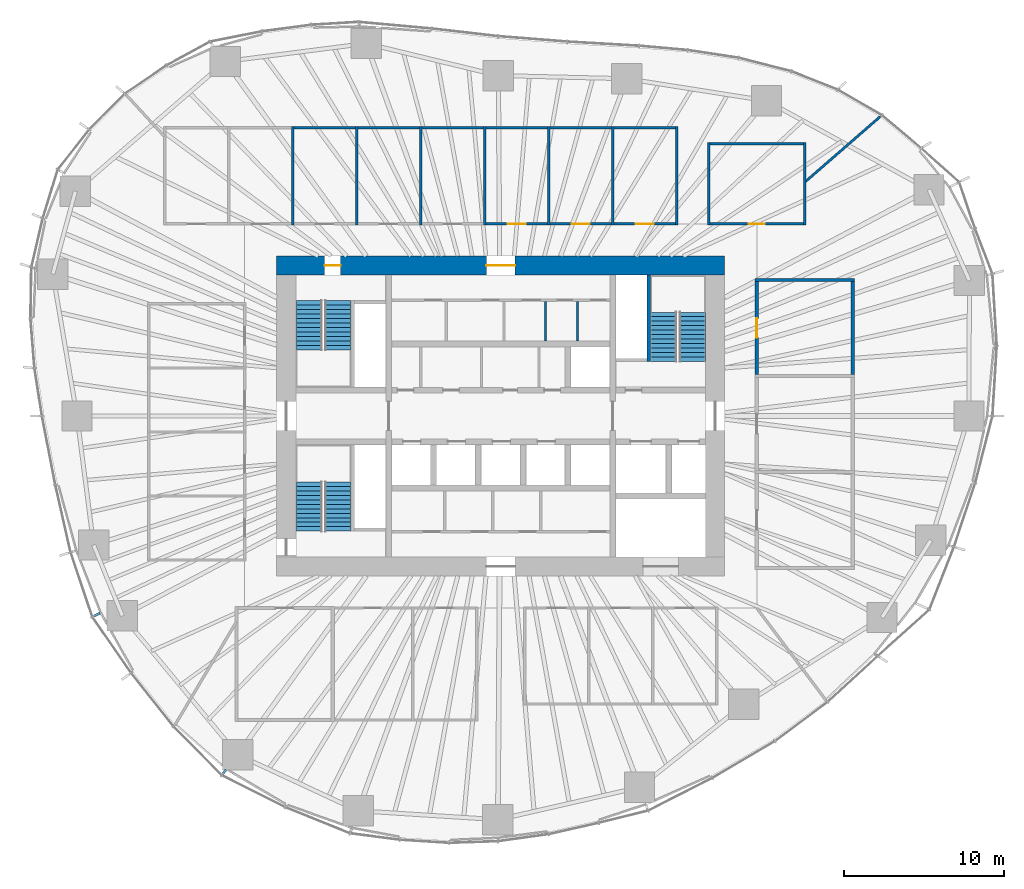
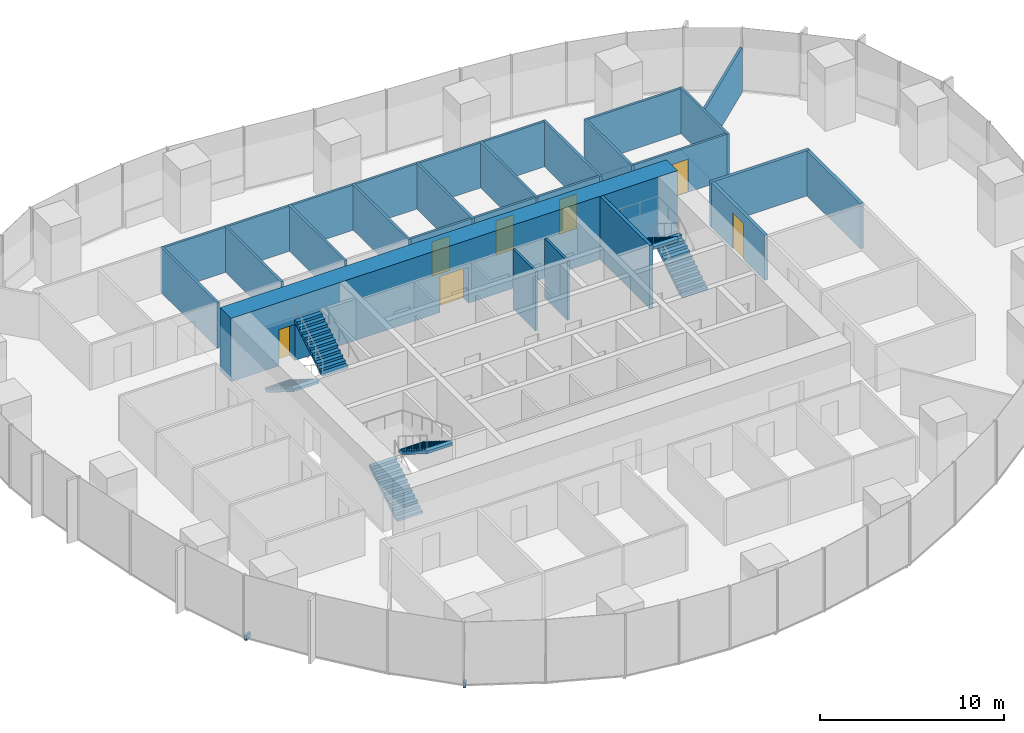
# One storey, part 11 of 20: 28 walls, 7 doors, 6 stair flights, 2 discrete accessories, 7 openings, 3 elements without a shape of their own.
"""IFC4 building model written with IfcOpenShell, lengths in metres."""

from ifc_helpers import new_model, si_unit, direction, frame, frame_2d, origin, origin_2d, place, context, subcontext, project, spatial, polyline, rectangle, outline, extrude, material, layer, layer_set, type_object, element, fill, aggregate, save


model = new_model("IFC4")

# Units and contexts
model_context = context("Model", 3, precision=1e-05, world=origin(), true_north=direction((0.0, 1.0)))
body_context = subcontext(model_context, "Body", "Model", "MODEL_VIEW")
ifc_project = project(units=[si_unit("LENGTHUNIT", "METRE"), si_unit("AREAUNIT", "SQUARE_METRE"), si_unit("VOLUMEUNIT", "CUBIC_METRE"), si_unit("PLANEANGLEUNIT", "RADIAN"), si_unit("MASSUNIT", "GRAM", prefix="KILO")], contexts=[model_context])

# Site, building, storey
site_placement = place(None, origin())
site = spatial("IfcSite", under=ifc_project, at=site_placement, CompositionType="ELEMENT")
building_placement = place(site_placement, origin())
building = spatial("IfcBuilding", under=site, at=building_placement, Name="Ghaith Harvest Tower", CompositionType="ELEMENT")
storey_placement = place(building_placement, frame((0.0, 0.0, 109.199951171875)))
storey = spatial("IfcBuildingStorey", under=building, at=storey_placement, Name="L22", CompositionType="ELEMENT", Elevation=109.199951171875)

# Wall
ifc_material_1 = material(Name="Twin-stud gypsum board, acoustic", Category="gypsum")
ifc_layer_1 = layer(ifc_material_1, 0.199951171875)
ifc_layer_set_1 = layer_set([ifc_layer_1], Name="ACOUSTIC PARTITION 200")
wall_type_1 = type_object("IfcWallType", Name="ACOUSTIC PARTITION 200", PredefinedType="PARTITIONING", material=ifc_layer_set_1)
wall_1_placement = place(storey_placement, frame((15.89990234375, 8.5, 0.0), z_axis=(0.0, 0.0, 1.0), x_axis=(1.0, 0.0, 0.0)))
element("IfcWall", 1, at=wall_1_placement, inside=storey, type_object=wall_type_1, Name="Partition L22 row E3 cross wall 4", PredefinedType="PARTITIONING", context=body_context, shape_type="SweptSolid", body=[
    extrude(rectangle(XDim=6.2001953125, YDim=0.199951171875, at=frame_2d((3.10009765625, 0.0))), origin(), (0.0, 0.0, 1.0), 3.0),
])

# Wall, opening, door
wall_2_placement = place(storey_placement, frame((16.0, 2.60009765625, 0.0), z_axis=(0.0, 0.0, 1.0), x_axis=(0.0, 1.0, 0.0)))
wall_2 = element("IfcWall", 2, at=wall_2_placement, inside=storey, type_object=wall_type_1, Name="Partition L22-12", PredefinedType="PARTITIONING", context=body_context, shape_type="SweptSolid", body=[
    extrude(rectangle(XDim=5.7998046875, YDim=0.199951171875, at=frame_2d((2.89990234375, 0.0))), origin(), (0.0, 0.0, 1.0), 3.0),
])
opening_1_placement = place(wall_2_placement, frame((2.300048828125, 0.0, 0.0)))
opening_1 = element("IfcOpeningElement", 3, at=opening_1_placement, cuts=wall_2, Name="Opening 22-041", PredefinedType="OPENING", context=body_context, shape_type="SweptSolid", body=[
    extrude(rectangle(XDim=1.199951171875, YDim=2.39990234375, at=frame_2d((0.60009765625, 1.199951171875))), frame((0.0, 0.10986328125, 0.0), z_axis=(0.0, -1.0, 0.0), x_axis=(1.0, 0.0, 0.0)), (0.0, 0.0, 1.0), 0.219970703125),
])
ifc_material_2 = material(Name="Timber door", Category="wood")
door_type_1 = type_object("IfcDoorType", Name="D11 GLAZED 1200x2400", OperationType="SINGLE_SWING_LEFT", PredefinedType="DOOR", material=ifc_material_2)
door_1_placement = place(opening_1_placement, origin())
door_1 = element("IfcDoor", 4, at=door_1_placement, inside=storey, type_object=door_type_1, Name="Meeting room door", OperationType="SINGLE_SWING_LEFT", OverallHeight=2.39990234375, OverallWidth=1.199951171875, PredefinedType="DOOR", context=body_context, shape_type="SweptSolid", body=[
    extrude(rectangle(XDim=1.199951171875, YDim=2.39990234375, at=frame_2d((0.60009765625, 1.199951171875))), frame((0.0, 0.02490234375, 0.0), z_axis=(0.0, -1.0, 0.0), x_axis=(1.0, 0.0, 0.0)), (0.0, 0.0, 1.0), 0.050048828125),
])
fill(opening_1, door_1)

# Walls
wall_3_placement = place(storey_placement, frame((22.0, 2.60009765625, 0.0), z_axis=(0.0, 0.0, 1.0), x_axis=(0.0, 1.0, 0.0)))
element("IfcWall", 5, at=wall_3_placement, inside=storey, type_object=wall_type_1, Name="Partition L22-12", PredefinedType="PARTITIONING", context=body_context, shape_type="SweptSolid", body=[
    extrude(rectangle(XDim=5.7998046875, YDim=0.199951171875, at=frame_2d((2.89990234375, 0.0))), origin(), (0.0, 0.0, 1.0), 3.0),
])
ifc_material_3 = material(Name="Concrete blockwork, fair-faced", Category="masonry")
ifc_layer_2 = layer(ifc_material_3, 0.139892578125)
ifc_layer_set_2 = layer_set([ifc_layer_2], Name="CORE PARTITION 140")
wall_type_2 = type_object("IfcWallType", Name="CORE PARTITION 140", PredefinedType="PARTITIONING", material=ifc_layer_set_2)
for number, where, z_axis, x_axis, name in (
    (6, (2.800048828125, 4.699951171875, 0.0), (0.0, 0.0, 1.0), (0.0, 1.0, 0.0), "Core partition L22"),
    (7, (4.800048828125, 4.699951171875, 0.0), (0.0, 0.0, 1.0), (0.0, 1.0, 0.0), "Core partition L22"),
):
    element("IfcWall", number, at=place(storey_placement, frame(where, z_axis=z_axis, x_axis=x_axis)), inside=storey, type_object=wall_type_2, Name=name, PredefinedType="PARTITIONING", context=body_context, shape_type="SweptSolid", body=[
        extrude(rectangle(XDim=2.4599609375, YDim=0.139892578125, at=frame_2d((1.22998046875, 0.0))), origin(), (0.0, 0.0, 1.0), 3.949951171875),
    ])

# Wall, openings, doors
ifc_material_4 = material(Name="Concrete C60/75", Category="concrete")
ifc_layer_3 = layer(ifc_material_4, 1.199951171875)
ifc_layer_set_3 = layer_set([ifc_layer_3], Name="CORE WALL CW1200 C60")
wall_type_3 = type_object("IfcWallType", Name="CORE WALL CW1200 C60", PredefinedType="SHEAR", material=ifc_layer_set_3)
wall_4_placement = place(storey_placement, frame((14.0, 9.39990234375, 0.0), z_axis=(0.0, 0.0, 1.0), x_axis=(-1.0, 0.0, 0.0)))
wall_4 = element("IfcWall", 8, at=wall_4_placement, inside=storey, type_object=wall_type_3, Name="Core wall N L22", PredefinedType="SHEAR", context=body_context, shape_type="SweptSolid", body=[
    extrude(rectangle(XDim=28.0, YDim=1.199951171875, at=frame_2d((14.0, 0.0))), origin(), (0.0, 0.0, 1.0), 4.199951171875),
])
opening_2_placement = place(wall_4_placement, frame((24.0, 0.0, 0.0)))
opening_2 = element("IfcOpeningElement", 9, at=opening_2_placement, cuts=wall_4, Name="Opening 22-005", PredefinedType="OPENING", context=body_context, shape_type="SweptSolid", body=[
    extrude(rectangle(XDim=1.0, YDim=2.39990234375, at=frame_2d((0.5, 1.199951171875))), frame((0.0, 0.60986328125, 0.0), z_axis=(0.0, -1.0, 0.0), x_axis=(1.0, 0.0, 0.0)), (0.0, 0.0, 1.0), 1.219970703125),
])
opening_3_placement = place(wall_4_placement, frame((13.10009765625, 0.0, 0.0)))
opening_3 = element("IfcOpeningElement", 10, at=opening_3_placement, cuts=wall_4, Name="Opening 22-021", PredefinedType="OPENING", context=body_context, shape_type="SweptSolid", body=[
    extrude(rectangle(XDim=1.800048828125, YDim=2.39990234375, at=frame_2d((0.89990234375, 1.199951171875))), frame((0.0, 0.60986328125, 0.0), z_axis=(0.0, -1.0, 0.0), x_axis=(1.0, 0.0, 0.0)), (0.0, 0.0, 1.0), 1.219970703125),
])
ifc_material_5 = material(Name="Steel fire door", Category="steel")
door_type_2 = type_object("IfcDoorType", Name="D3 FD90 1000x2400", OperationType="SINGLE_SWING_LEFT", PredefinedType="DOOR", material=ifc_material_5)
door_2_placement = place(opening_2_placement, origin())
door_2 = element("IfcDoor", 11, at=door_2_placement, inside=storey, type_object=door_type_2, Name="Stair ST1 door", OperationType="SINGLE_SWING_RIGHT", OverallHeight=2.39990234375, OverallWidth=1.0, PredefinedType="DOOR", context=body_context, shape_type="SweptSolid", body=[
    extrude(rectangle(XDim=1.0, YDim=2.39990234375, at=frame_2d((0.5, 1.199951171875))), frame((0.0, 0.02490234375, 0.0), z_axis=(0.0, -1.0, 0.0), x_axis=(1.0, 0.0, 0.0)), (0.0, 0.0, 1.0), 0.050048828125),
])
fill(opening_2, door_2)
ifc_material_6 = material(Name="Steel fire door", Category="steel")
door_type_3 = type_object("IfcDoorType", Name="D4 FD90 PAIR 1800x2400", OperationType="DOUBLE_DOOR_SINGLE_SWING", PredefinedType="DOOR", material=ifc_material_6)
door_3_placement = place(opening_3_placement, origin())
door_3 = element("IfcDoor", 12, at=door_3_placement, inside=storey, type_object=door_type_3, Name="Core service corridor doors", OperationType="DOUBLE_DOOR_SINGLE_SWING", OverallHeight=2.39990234375, OverallWidth=1.800048828125, PredefinedType="DOOR", context=body_context, shape_type="SweptSolid", body=[
    extrude(rectangle(XDim=1.800048828125, YDim=2.39990234375, at=frame_2d((0.89990234375, 1.199951171875))), frame((0.0, 0.02490234375, 0.0), z_axis=(0.0, -1.0, 0.0), x_axis=(1.0, 0.0, 0.0)), (0.0, 0.0, 1.0), 0.050048828125),
])
fill(opening_3, door_3)

# Walls
ifc_material_7 = material(Name="Gypsum board on steel studs", Category="steel")
ifc_layer_4 = layer(ifc_material_7, 0.14990234375)
ifc_layer_set_4 = layer_set([ifc_layer_4], Name="PARTITION 150")
wall_type_4 = type_object("IfcWallType", Name="PARTITION 150", PredefinedType="PARTITIONING", material=ifc_layer_set_4)
for number, where, z_axis, x_axis, name in (
    (13, (-13.0, 11.925048828125, 0.0), (0.0, 0.0, 1.0), (0.0, 1.0, 0.0), "Partition L22 row N1 cross wall 3"),
    (14, (-9.0, 11.925048828125, 0.0), (0.0, 0.0, 1.0), (0.0, 1.0, 0.0), "Partition L22 row N1 cross wall 4"),
    (15, (-5.0, 11.925048828125, 0.0), (0.0, 0.0, 1.0), (0.0, 1.0, 0.0), "Partition L22 row N1 cross wall 5"),
    (16, (-1.0, 11.925048828125, 0.0), (0.0, 0.0, 1.0), (0.0, 1.0, 0.0), "Partition L22 row N1 cross wall 6"),
    (17, (3.0, 11.925048828125, 0.0), (0.0, 0.0, 1.0), (0.0, 1.0, 0.0), "Partition L22 row N1 cross wall 7"),
    (18, (7.0, 11.925048828125, 0.0), (0.0, 0.0, 1.0), (0.0, 1.0, 0.0), "Partition L22 row N1 cross wall 8"),
    (19, (11.0, 11.925048828125, 0.0), (0.0, 0.0, 1.0), (0.0, 1.0, 0.0), "Partition L22 row N1 cross wall 9"),
):
    element("IfcWall", number, at=place(storey_placement, frame(where, z_axis=z_axis, x_axis=x_axis)), inside=storey, type_object=wall_type_4, Name=name, PredefinedType="PARTITIONING", context=body_context, shape_type="SweptSolid", body=[
        extrude(rectangle(XDim=6.14990234375, YDim=0.14990234375, at=frame_2d((3.074951171875, 0.0))), origin(), (0.0, 0.0, 1.0), 3.0),
    ])
for number, where, z_axis, x_axis, name in (
    (20, (-12.925048828125, 18.0, 0.0), (0.0, 0.0, 1.0), (1.0, 0.0, 0.0), "Partition L22-03"),
    (21, (-8.925048828125, 18.0, 0.0), (0.0, 0.0, 1.0), (1.0, 0.0, 0.0), "Partition L22-04"),
    (22, (-4.925048828125, 18.0, 0.0), (0.0, 0.0, 1.0), (1.0, 0.0, 0.0), "Partition L22-05"),
):
    element("IfcWall", number, at=place(storey_placement, frame(where, z_axis=z_axis, x_axis=x_axis)), inside=storey, type_object=wall_type_4, Name=name, PredefinedType="PARTITIONING", context=body_context, shape_type="SweptSolid", body=[
        extrude(rectangle(XDim=3.85009765625, YDim=0.14990234375, at=frame_2d((1.925048828125, 0.0))), origin(), (0.0, 0.0, 1.0), 3.0),
    ])

# Wall, opening, door
wall_5_placement = place(storey_placement, frame((-0.925048828125, 12.0, 0.0), z_axis=(0.0, 0.0, 1.0), x_axis=(1.0, 0.0, 0.0)))
wall_5 = element("IfcWall", 23, at=wall_5_placement, inside=storey, type_object=wall_type_4, Name="Partition L22-06", PredefinedType="PARTITIONING", context=body_context, shape_type="SweptSolid", body=[
    extrude(rectangle(XDim=3.85009765625, YDim=0.14990234375, at=frame_2d((1.925048828125, 0.0))), origin(), (0.0, 0.0, 1.0), 3.0),
])
opening_4_placement = place(wall_5_placement, frame((1.375, 0.0, 0.0)))
opening_4 = element("IfcOpeningElement", 24, at=opening_4_placement, cuts=wall_5, Name="Opening 22-035", PredefinedType="OPENING", context=body_context, shape_type="SweptSolid", body=[
    extrude(rectangle(XDim=1.10009765625, YDim=2.300048828125, at=frame_2d((0.550048828125, 1.14990234375))), frame((0.0, 0.0849609375, 0.0), z_axis=(0.0, -1.0, 0.0), x_axis=(1.0, 0.0, 0.0)), (0.0, 0.0, 1.0), 0.169921875),
])
ifc_material_8 = material(Name="Timber-framed glazed door", Category="wood")
door_type_4 = type_object("IfcDoorType", Name="D12 GLAZED OFFICE 1100x2300", OperationType="SINGLE_SWING_LEFT", PredefinedType="DOOR", material=ifc_material_8)
door_4_placement = place(opening_4_placement, origin())
door_4 = element("IfcDoor", 25, at=door_4_placement, inside=storey, type_object=door_type_4, Name="Office door", OperationType="SINGLE_SWING_LEFT", OverallHeight=2.300048828125, OverallWidth=1.10009765625, PredefinedType="DOOR", context=body_context, shape_type="SweptSolid", body=[
    extrude(rectangle(XDim=1.10009765625, YDim=2.300048828125, at=frame_2d((0.550048828125, 1.14990234375))), frame((0.0, 0.02490234375, 0.0), z_axis=(0.0, -1.0, 0.0), x_axis=(1.0, 0.0, 0.0)), (0.0, 0.0, 1.0), 0.050048828125),
])
fill(opening_4, door_4)

# Wall
wall_6_placement = place(storey_placement, frame((-0.925048828125, 18.0, 0.0), z_axis=(0.0, 0.0, 1.0), x_axis=(1.0, 0.0, 0.0)))
element("IfcWall", 26, at=wall_6_placement, inside=storey, type_object=wall_type_4, Name="Partition L22-06", PredefinedType="PARTITIONING", context=body_context, shape_type="SweptSolid", body=[
    extrude(rectangle(XDim=3.85009765625, YDim=0.14990234375, at=frame_2d((1.925048828125, 0.0))), origin(), (0.0, 0.0, 1.0), 3.0),
])

# Wall, opening, door
wall_7_placement = place(storey_placement, frame((3.074951171875, 12.0, 0.0), z_axis=(0.0, 0.0, 1.0), x_axis=(1.0, 0.0, 0.0)))
wall_7 = element("IfcWall", 27, at=wall_7_placement, inside=storey, type_object=wall_type_4, Name="Partition L22-07", PredefinedType="PARTITIONING", context=body_context, shape_type="SweptSolid", body=[
    extrude(rectangle(XDim=3.85009765625, YDim=0.14990234375, at=frame_2d((1.925048828125, 0.0))), origin(), (0.0, 0.0, 1.0), 3.0),
])
opening_5_placement = place(wall_7_placement, frame((1.375, 0.0, 0.0)))
opening_5 = element("IfcOpeningElement", 28, at=opening_5_placement, cuts=wall_7, Name="Opening 22-036", PredefinedType="OPENING", context=body_context, shape_type="SweptSolid", body=[
    extrude(rectangle(XDim=1.10009765625, YDim=2.300048828125, at=frame_2d((0.550048828125, 1.14990234375))), frame((0.0, 0.0849609375, 0.0), z_axis=(0.0, -1.0, 0.0), x_axis=(1.0, 0.0, 0.0)), (0.0, 0.0, 1.0), 0.169921875),
])
door_5_placement = place(opening_5_placement, origin())
door_5 = element("IfcDoor", 29, at=door_5_placement, inside=storey, type_object=door_type_4, Name="Office door", OperationType="SINGLE_SWING_LEFT", OverallHeight=2.300048828125, OverallWidth=1.10009765625, PredefinedType="DOOR", context=body_context, shape_type="SweptSolid", body=[
    extrude(rectangle(XDim=1.10009765625, YDim=2.300048828125, at=frame_2d((0.550048828125, 1.14990234375))), frame((0.0, 0.02490234375, 0.0), z_axis=(0.0, -1.0, 0.0), x_axis=(1.0, 0.0, 0.0)), (0.0, 0.0, 1.0), 0.050048828125),
])
fill(opening_5, door_5)

# Wall
wall_8_placement = place(storey_placement, frame((3.074951171875, 18.0, 0.0), z_axis=(0.0, 0.0, 1.0), x_axis=(1.0, 0.0, 0.0)))
element("IfcWall", 30, at=wall_8_placement, inside=storey, type_object=wall_type_4, Name="Partition L22-07", PredefinedType="PARTITIONING", context=body_context, shape_type="SweptSolid", body=[
    extrude(rectangle(XDim=3.85009765625, YDim=0.14990234375, at=frame_2d((1.925048828125, 0.0))), origin(), (0.0, 0.0, 1.0), 3.0),
])

# Wall, opening, door
wall_9_placement = place(storey_placement, frame((7.074951171875, 12.0, 0.0), z_axis=(0.0, 0.0, 1.0), x_axis=(1.0, 0.0, 0.0)))
wall_9 = element("IfcWall", 31, at=wall_9_placement, inside=storey, type_object=wall_type_4, Name="Partition L22-08", PredefinedType="PARTITIONING", context=body_context, shape_type="SweptSolid", body=[
    extrude(rectangle(XDim=3.85009765625, YDim=0.14990234375, at=frame_2d((1.925048828125, 0.0))), origin(), (0.0, 0.0, 1.0), 3.0),
])
opening_6_placement = place(wall_9_placement, frame((1.375, 0.0, 0.0)))
opening_6 = element("IfcOpeningElement", 32, at=opening_6_placement, cuts=wall_9, Name="Opening 22-037", PredefinedType="OPENING", context=body_context, shape_type="SweptSolid", body=[
    extrude(rectangle(XDim=1.10009765625, YDim=2.300048828125, at=frame_2d((0.550048828125, 1.14990234375))), frame((0.0, 0.0849609375, 0.0), z_axis=(0.0, -1.0, 0.0), x_axis=(1.0, 0.0, 0.0)), (0.0, 0.0, 1.0), 0.169921875),
])
door_6_placement = place(opening_6_placement, origin())
door_6 = element("IfcDoor", 33, at=door_6_placement, inside=storey, type_object=door_type_4, Name="Office door", OperationType="SINGLE_SWING_LEFT", OverallHeight=2.300048828125, OverallWidth=1.10009765625, PredefinedType="DOOR", context=body_context, shape_type="SweptSolid", body=[
    extrude(rectangle(XDim=1.10009765625, YDim=2.300048828125, at=frame_2d((0.550048828125, 1.14990234375))), frame((0.0, 0.02490234375, 0.0), z_axis=(0.0, -1.0, 0.0), x_axis=(1.0, 0.0, 0.0)), (0.0, 0.0, 1.0), 0.050048828125),
])
fill(opening_6, door_6)

# Walls
wall_10_placement = place(storey_placement, frame((7.074951171875, 18.0, 0.0), z_axis=(0.0, 0.0, 1.0), x_axis=(1.0, 0.0, 0.0)))
element("IfcWall", 34, at=wall_10_placement, inside=storey, type_object=wall_type_4, Name="Partition L22-08", PredefinedType="PARTITIONING", context=body_context, shape_type="SweptSolid", body=[
    extrude(rectangle(XDim=3.85009765625, YDim=0.14990234375, at=frame_2d((1.925048828125, 0.0))), origin(), (0.0, 0.0, 1.0), 3.0),
])
for number, where, z_axis, x_axis, name in (
    (35, (13.0, 11.925048828125, 0.0), (0.0, 0.0, 1.0), (0.0, 1.0, 0.0), "Partition L22 row N2 cross wall 1"),
    (36, (19.0, 11.925048828125, 0.0), (0.0, 0.0, 1.0), (0.0, 1.0, 0.0), "Partition L22 row N2 cross wall 2"),
):
    element("IfcWall", number, at=place(storey_placement, frame(where, z_axis=z_axis, x_axis=x_axis)), inside=storey, type_object=wall_type_4, Name=name, PredefinedType="PARTITIONING", context=body_context, shape_type="SweptSolid", body=[
        extrude(rectangle(XDim=5.14990234375, YDim=0.14990234375, at=frame_2d((2.574951171875, 0.0))), origin(), (0.0, 0.0, 1.0), 3.0),
    ])

# Wall, opening, door
wall_11_placement = place(storey_placement, frame((13.074951171875, 12.0, 0.0), z_axis=(0.0, 0.0, 1.0), x_axis=(1.0, 0.0, 0.0)))
wall_11 = element("IfcWall", 37, at=wall_11_placement, inside=storey, type_object=wall_type_4, Name="Partition L22-09", PredefinedType="PARTITIONING", context=body_context, shape_type="SweptSolid", body=[
    extrude(rectangle(XDim=5.85009765625, YDim=0.14990234375, at=frame_2d((2.925048828125, 0.0))), origin(), (0.0, 0.0, 1.0), 3.0),
])
opening_7_placement = place(wall_11_placement, frame((2.425048828125, 0.0, 0.0)))
opening_7 = element("IfcOpeningElement", 38, at=opening_7_placement, cuts=wall_11, Name="Opening 22-038", PredefinedType="OPENING", context=body_context, shape_type="SweptSolid", body=[
    extrude(rectangle(XDim=1.0, YDim=2.199951171875, at=frame_2d((0.5, 1.10009765625))), frame((0.0, 0.0849609375, 0.0), z_axis=(0.0, -1.0, 0.0), x_axis=(1.0, 0.0, 0.0)), (0.0, 0.0, 1.0), 0.169921875),
])
ifc_material_9 = material(Name="Timber door", Category="wood")
door_type_5 = type_object("IfcDoorType", Name="D1 SINGLE 1000x2200", OperationType="SINGLE_SWING_LEFT", PredefinedType="DOOR", material=ifc_material_9)
door_7_placement = place(opening_7_placement, origin())
door_7 = element("IfcDoor", 39, at=door_7_placement, inside=storey, type_object=door_type_5, Name="Pantry door", OperationType="SINGLE_SWING_LEFT", OverallHeight=2.199951171875, OverallWidth=1.0, PredefinedType="DOOR", context=body_context, shape_type="SweptSolid", body=[
    extrude(rectangle(XDim=1.0, YDim=2.199951171875, at=frame_2d((0.5, 1.10009765625))), frame((0.0, 0.02490234375, 0.0), z_axis=(0.0, -1.0, 0.0), x_axis=(1.0, 0.0, 0.0)), (0.0, 0.0, 1.0), 0.050048828125),
])
fill(opening_7, door_7)

# Walls
wall_12_placement = place(storey_placement, frame((13.074951171875, 17.0, 0.0), z_axis=(0.0, 0.0, 1.0), x_axis=(1.0, 0.0, 0.0)))
element("IfcWall", 40, at=wall_12_placement, inside=storey, type_object=wall_type_4, Name="Partition L22-09", PredefinedType="PARTITIONING", context=body_context, shape_type="SweptSolid", body=[
    extrude(rectangle(XDim=5.85009765625, YDim=0.14990234375, at=frame_2d((2.925048828125, 0.0))), origin(), (0.0, 0.0, 1.0), 3.0),
])
wall_13_placement = place(storey_placement, frame((19.02001953125, 14.62548828125, 0.0), z_axis=(0.0, 0.0, 1.0), x_axis=(0.754691753605, 0.656079535605, 0.0)))
element("IfcWall", 41, at=wall_13_placement, inside=storey, type_object=wall_type_4, Name="Partition L22 zone division", PredefinedType="PARTITIONING", context=body_context, shape_type="SweptSolid", body=[
    extrude(rectangle(XDim=6.216552734375, YDim=0.14990234375, at=frame_2d((3.1083984375, 0.0))), origin(), (0.0, 0.0, 1.0), 3.0),
])
ifc_material_10 = material(Name="Concrete C40/50", Category="concrete")
ifc_layer_5 = layer(ifc_material_10, 0.199951171875)
ifc_layer_set_5 = layer_set([ifc_layer_5], Name="STAIR SPINE WALL RC200")
wall_type_5 = type_object("IfcWallType", Name="STAIR SPINE WALL RC200", PredefinedType="SOLIDWALL", material=ifc_layer_set_5)
wall_14_placement = place(storey_placement, frame((9.25, 3.39990234375, 0.0), z_axis=(0.0, 0.0, 1.0), x_axis=(0.0, 1.0, 0.0)))
element("IfcWall", 42, at=wall_14_placement, inside=storey, type_object=wall_type_5, Name="Stair ST2 spine wall L22", PredefinedType="SOLIDWALL", context=body_context, shape_type="SweptSolid", body=[
    extrude(rectangle(XDim=5.400146484375, YDim=0.199951171875, at=frame_2d((2.7001953125, 0.0))), origin(), (0.0, 0.0, 1.0), 4.199951171875),
])

# Stair, stair flights
ifc_material_11 = material(Name="Concrete C40/50, precast", Category="concrete")
stair_type = type_object("IfcStairType", Name="CORE STAIR 24R", PredefinedType="HALF_TURN_STAIR", material=ifc_material_11)
stair_1_placement = place(storey_placement, origin())
stair_1 = element("IfcStair", 43, at=stair_1_placement, inside=storey, type_object=stair_type, Name="Stair ST1 L22", PredefinedType="HALF_TURN_STAIR")
ifc_material_12 = material(Name="Concrete C40/50, precast", Category="concrete")
stair_flight_type = type_object("IfcStairFlightType", Name="CORE FLIGHT 12R 1600", PredefinedType="STRAIGHT", material=ifc_material_12)
stair_flight_1_placement = place(storey_placement, frame((-12.0, 7.199951171875, 0.0), z_axis=(0.0, 0.0, 1.0), x_axis=(0.0, -1.0, 0.0)))
stair_flight_1 = element("IfcStairFlight", 44, at=stair_flight_1_placement, type_object=stair_flight_type, Name="ST1 flight 1", NumberOfRisers=12, NumberOfTreads=11, PredefinedType="STRAIGHT", RiserHeight=0.175, TreadLength=0.28, context=body_context, shape_type="SweptSolid", body=[
    extrude(outline(polyline([(0.0, 0.0), (0.0, 0.175048828125), (0.280029296875, 0.175048828125), (0.280029296875, 0.35009765625), (0.56005859375, 0.35009765625), (0.56005859375, 0.52490234375), (0.840087890625, 0.52490234375), (0.840087890625, 0.699951171875), (1.1201171875, 0.699951171875), (1.1201171875, 0.875), (1.39990234375, 0.875), (1.39990234375, 1.050048828125), (1.679931640625, 1.050048828125), (1.679931640625, 1.22509765625), (1.9599609375, 1.22509765625), (1.9599609375, 1.39990234375), (2.239990234375, 1.39990234375), (2.239990234375, 1.574951171875), (2.52001953125, 1.574951171875), (2.52001953125, 1.75), (2.800048828125, 1.75), (2.800048828125, 1.925048828125), (3.080078125, 1.925048828125), (3.080078125, 2.10009765625), (3.080078125, 1.748291015625), (0.28271484375, 0.0), (0.0, 0.0)])), frame((0.0, 0.800048828125, 0.0), z_axis=(0.0, -1.0, 0.0), x_axis=(1.0, 0.0, 0.0)), (0.0, 0.0, 1.0), 1.60009765625),
])
stair_flight_2_placement = place(storey_placement, frame((-10.14990234375, 4.1201171875, 2.10009765625), z_axis=(0.0, 0.0, 1.0), x_axis=(0.0, 1.0, 0.0)))
stair_flight_2 = element("IfcStairFlight", 45, at=stair_flight_2_placement, type_object=stair_flight_type, Name="ST1 flight 2", NumberOfRisers=12, NumberOfTreads=11, PredefinedType="STRAIGHT", RiserHeight=0.175, TreadLength=0.28, context=body_context, shape_type="SweptSolid", body=[
    extrude(outline(polyline([(0.0, 0.0), (0.0, 0.175048828125), (0.280029296875, 0.175048828125), (0.280029296875, 0.35009765625), (0.56005859375, 0.35009765625), (0.56005859375, 0.52490234375), (0.840087890625, 0.52490234375), (0.840087890625, 0.699951171875), (1.1201171875, 0.699951171875), (1.1201171875, 0.875), (1.39990234375, 0.875), (1.39990234375, 1.050048828125), (1.679931640625, 1.050048828125), (1.679931640625, 1.22509765625), (1.9599609375, 1.22509765625), (1.9599609375, 1.39990234375), (2.239990234375, 1.39990234375), (2.239990234375, 1.574951171875), (2.52001953125, 1.574951171875), (2.52001953125, 1.75), (2.800048828125, 1.75), (2.800048828125, 1.925048828125), (3.080078125, 1.925048828125), (3.080078125, 2.10009765625), (3.080078125, 1.748291015625), (0.28271484375, 0.0), (0.0, 0.0)])), frame((0.0, 0.800048828125, 0.0), z_axis=(0.0, -1.0, 0.0), x_axis=(1.0, 0.0, 0.0)), (0.0, 0.0, 1.0), 1.60009765625),
])
aggregate(stair_1, [stair_flight_1, stair_flight_2])

stair_2_placement = place(storey_placement, origin())
stair_2 = element("IfcStair", 46, at=stair_2_placement, inside=storey, type_object=stair_type, Name="Stair ST3 L22", PredefinedType="HALF_TURN_STAIR")
stair_flight_3_placement = place(storey_placement, frame((-12.0, -7.199951171875, 0.0), z_axis=(0.0, 0.0, 1.0), x_axis=(0.0, 1.0, 0.0)))
stair_flight_3 = element("IfcStairFlight", 47, at=stair_flight_3_placement, type_object=stair_flight_type, Name="ST3 flight 1", NumberOfRisers=12, NumberOfTreads=11, PredefinedType="STRAIGHT", RiserHeight=0.175, TreadLength=0.28, context=body_context, shape_type="SweptSolid", body=[
    extrude(outline(polyline([(0.0, 0.0), (0.0, 0.175048828125), (0.280029296875, 0.175048828125), (0.280029296875, 0.35009765625), (0.56005859375, 0.35009765625), (0.56005859375, 0.52490234375), (0.840087890625, 0.52490234375), (0.840087890625, 0.699951171875), (1.1201171875, 0.699951171875), (1.1201171875, 0.875), (1.39990234375, 0.875), (1.39990234375, 1.050048828125), (1.679931640625, 1.050048828125), (1.679931640625, 1.22509765625), (1.9599609375, 1.22509765625), (1.9599609375, 1.39990234375), (2.239990234375, 1.39990234375), (2.239990234375, 1.574951171875), (2.52001953125, 1.574951171875), (2.52001953125, 1.75), (2.800048828125, 1.75), (2.800048828125, 1.925048828125), (3.080078125, 1.925048828125), (3.080078125, 2.10009765625), (3.080078125, 1.748291015625), (0.28271484375, 0.0), (0.0, 0.0)])), frame((0.0, 0.800048828125, 0.0), z_axis=(0.0, -1.0, 0.0), x_axis=(1.0, 0.0, 0.0)), (0.0, 0.0, 1.0), 1.60009765625),
])
stair_flight_4_placement = place(storey_placement, frame((-10.14990234375, -4.1201171875, 2.10009765625), z_axis=(0.0, 0.0, 1.0), x_axis=(0.0, -1.0, 0.0)))
stair_flight_4 = element("IfcStairFlight", 48, at=stair_flight_4_placement, type_object=stair_flight_type, Name="ST3 flight 2", NumberOfRisers=12, NumberOfTreads=11, PredefinedType="STRAIGHT", RiserHeight=0.175, TreadLength=0.28, context=body_context, shape_type="SweptSolid", body=[
    extrude(outline(polyline([(0.0, 0.0), (0.0, 0.175048828125), (0.280029296875, 0.175048828125), (0.280029296875, 0.35009765625), (0.56005859375, 0.35009765625), (0.56005859375, 0.52490234375), (0.840087890625, 0.52490234375), (0.840087890625, 0.699951171875), (1.1201171875, 0.699951171875), (1.1201171875, 0.875), (1.39990234375, 0.875), (1.39990234375, 1.050048828125), (1.679931640625, 1.050048828125), (1.679931640625, 1.22509765625), (1.9599609375, 1.22509765625), (1.9599609375, 1.39990234375), (2.239990234375, 1.39990234375), (2.239990234375, 1.574951171875), (2.52001953125, 1.574951171875), (2.52001953125, 1.75), (2.800048828125, 1.75), (2.800048828125, 1.925048828125), (3.080078125, 1.925048828125), (3.080078125, 2.10009765625), (3.080078125, 1.748291015625), (0.28271484375, 0.0), (0.0, 0.0)])), frame((0.0, 0.800048828125, 0.0), z_axis=(0.0, -1.0, 0.0), x_axis=(1.0, 0.0, 0.0)), (0.0, 0.0, 1.0), 1.60009765625),
])
aggregate(stair_2, [stair_flight_3, stair_flight_4])

stair_3_placement = place(storey_placement, origin())
stair_3 = element("IfcStair", 49, at=stair_3_placement, inside=storey, type_object=stair_type, Name="Stair ST2 L22", PredefinedType="HALF_TURN_STAIR")
stair_flight_5_placement = place(storey_placement, frame((12.0, 3.39990234375, 0.0), z_axis=(0.0, 0.0, 1.0), x_axis=(0.0, 1.0, 0.0)))
stair_flight_5 = element("IfcStairFlight", 50, at=stair_flight_5_placement, type_object=stair_flight_type, Name="ST2 flight 1", NumberOfRisers=12, NumberOfTreads=11, PredefinedType="STRAIGHT", RiserHeight=0.175, TreadLength=0.28, context=body_context, shape_type="SweptSolid", body=[
    extrude(outline(polyline([(0.0, 0.0), (0.0, 0.175048828125), (0.280029296875, 0.175048828125), (0.280029296875, 0.35009765625), (0.56005859375, 0.35009765625), (0.56005859375, 0.52490234375), (0.840087890625, 0.52490234375), (0.840087890625, 0.699951171875), (1.1201171875, 0.699951171875), (1.1201171875, 0.875), (1.39990234375, 0.875), (1.39990234375, 1.050048828125), (1.679931640625, 1.050048828125), (1.679931640625, 1.22509765625), (1.9599609375, 1.22509765625), (1.9599609375, 1.39990234375), (2.239990234375, 1.39990234375), (2.239990234375, 1.574951171875), (2.52001953125, 1.574951171875), (2.52001953125, 1.75), (2.800048828125, 1.75), (2.800048828125, 1.925048828125), (3.080078125, 1.925048828125), (3.080078125, 2.10009765625), (3.080078125, 1.748291015625), (0.28271484375, 0.0), (0.0, 0.0)])), frame((0.0, 0.800048828125, 0.0), z_axis=(0.0, -1.0, 0.0), x_axis=(1.0, 0.0, 0.0)), (0.0, 0.0, 1.0), 1.60009765625),
])
stair_flight_6_placement = place(storey_placement, frame((10.14990234375, 6.47998046875, 2.10009765625), z_axis=(0.0, 0.0, 1.0), x_axis=(0.0, -1.0, 0.0)))
stair_flight_6 = element("IfcStairFlight", 51, at=stair_flight_6_placement, type_object=stair_flight_type, Name="ST2 flight 2", NumberOfRisers=12, NumberOfTreads=11, PredefinedType="STRAIGHT", RiserHeight=0.175, TreadLength=0.28, context=body_context, shape_type="SweptSolid", body=[
    extrude(outline(polyline([(0.0, 0.0), (0.0, 0.175048828125), (0.280029296875, 0.175048828125), (0.280029296875, 0.35009765625), (0.56005859375, 0.35009765625), (0.56005859375, 0.52490234375), (0.840087890625, 0.52490234375), (0.840087890625, 0.699951171875), (1.1201171875, 0.699951171875), (1.1201171875, 0.875), (1.39990234375, 0.875), (1.39990234375, 1.050048828125), (1.679931640625, 1.050048828125), (1.679931640625, 1.22509765625), (1.9599609375, 1.22509765625), (1.9599609375, 1.39990234375), (2.239990234375, 1.39990234375), (2.239990234375, 1.574951171875), (2.52001953125, 1.574951171875), (2.52001953125, 1.75), (2.800048828125, 1.75), (2.800048828125, 1.925048828125), (3.080078125, 1.925048828125), (3.080078125, 2.10009765625), (3.080078125, 1.748291015625), (0.28271484375, 0.0), (0.0, 0.0)])), frame((0.0, 0.800048828125, 0.0), z_axis=(0.0, -1.0, 0.0), x_axis=(1.0, 0.0, 0.0)), (0.0, 0.0, 1.0), 1.60009765625),
])
aggregate(stair_3, [stair_flight_5, stair_flight_6])

# Discrete accessories
ifc_material_13 = material(Name="Stainless steel grade 1.4401", Category="steel")
discrete_accessory_type_1 = type_object("IfcDiscreteAccessoryType", Name="CURTAIN WALL BRACKET 315", PredefinedType="BRACKET", material=ifc_material_13)
discrete_accessory_1_placement = place(storey_placement, frame((-17.266357421875, -22.232421875, -0.25), z_axis=(0.0, 0.0, 1.0), x_axis=(-0.613377713774, -0.789789706343, 0.0)))
element("IfcDiscreteAccessory", 52, at=discrete_accessory_1_placement, inside=storey, type_object=discrete_accessory_type_1, Name="CW-L bracket 1 bay 14 L22", PredefinedType="BRACKET", context=body_context, shape_type="SweptSolid", body=[
    extrude(rectangle(XDim=0.31494140625, YDim=0.14990234375, at=origin_2d()), origin(), (0.0, 0.0, 1.0), 0.35009765625),
])
ifc_material_14 = material(Name="Stainless steel grade 1.4401", Category="steel")
discrete_accessory_type_2 = type_object("IfcDiscreteAccessoryType", Name="CURTAIN WALL BRACKET 415", PredefinedType="BRACKET", material=ifc_material_14)
discrete_accessory_2_placement = place(storey_placement, frame((-25.228515625, -12.41796875, -0.25), z_axis=(0.0, 0.0, 1.0), x_axis=(-0.897201221415, -0.441621974421, 0.0)))
element("IfcDiscreteAccessory", 53, at=discrete_accessory_2_placement, inside=storey, type_object=discrete_accessory_type_2, Name="CW-L bracket 2 bay 12 L22", PredefinedType="BRACKET", context=body_context, shape_type="SweptSolid", body=[
    extrude(rectangle(XDim=0.4150390625, YDim=0.14990234375, at=origin_2d()), origin(), (0.0, 0.0, 1.0), 0.35009765625),
])

save(model, "model.ifc")
